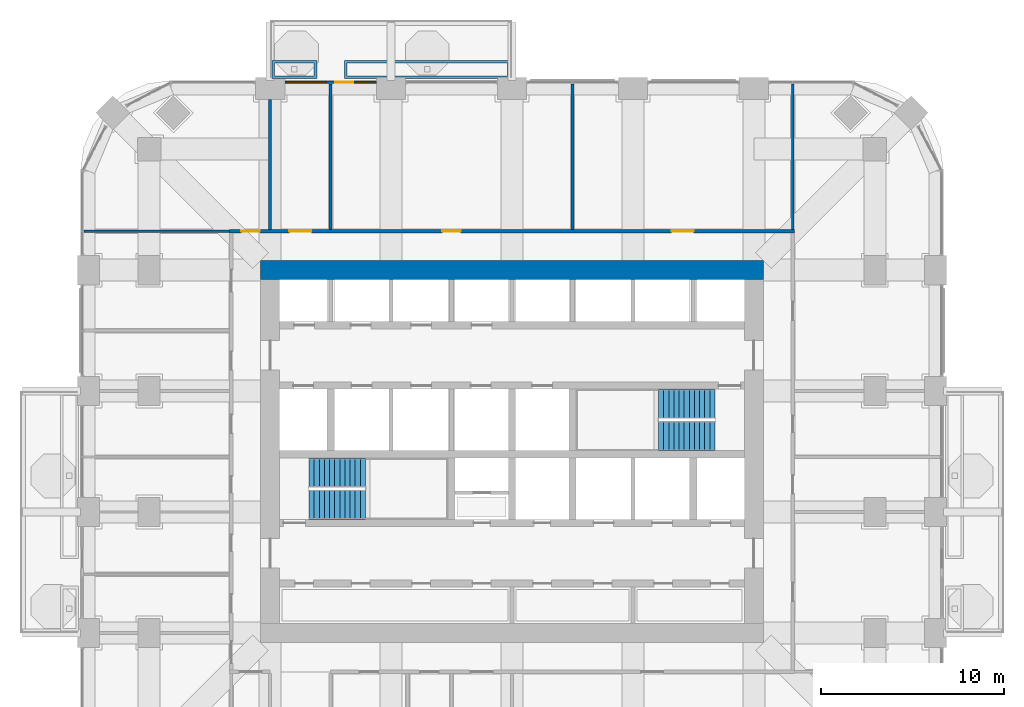
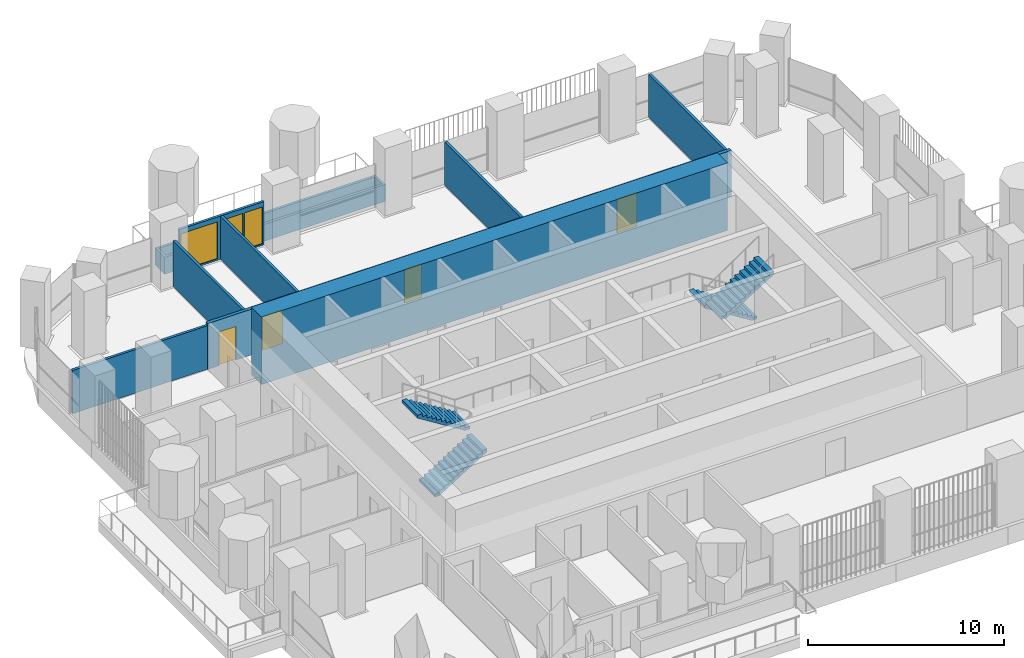
# One storey, part 14 of 19: 10 walls, 5 doors, 4 stair flights, 2 windows, 7 openings, 2 elements without a shape of their own.
"""IFC4 building model written with IfcOpenShell, lengths in metres."""

from ifc_helpers import new_model, si_unit, direction, frame, frame_2d, origin, place, context, subcontext, project, spatial, polyline, rectangle, outline, extrude, material, layer, layer_set, type_object, element, fill, aggregate, save


model = new_model("IFC4")

# Units and contexts
model_context = context("Model", 3, precision=1e-05, world=origin(), true_north=direction((0.0, 1.0)))
body_context = subcontext(model_context, "Body", "Model", "MODEL_VIEW")
ifc_project = project(units=[si_unit("LENGTHUNIT", "METRE"), si_unit("AREAUNIT", "SQUARE_METRE"), si_unit("VOLUMEUNIT", "CUBIC_METRE"), si_unit("PLANEANGLEUNIT", "RADIAN"), si_unit("MASSUNIT", "GRAM", prefix="KILO")], contexts=[model_context])

# Site, building, storey
site_placement = place(None, origin())
site = spatial("IfcSite", under=ifc_project, at=site_placement, CompositionType="ELEMENT")
building_placement = place(site_placement, origin())
building = spatial("IfcBuilding", under=site, at=building_placement, Name="Cobogo Forest Laboratory Tower", CompositionType="ELEMENT")
storey_placement = place(building_placement, frame((0.0, 0.0, 159.89990234375)))
storey = spatial("IfcBuildingStorey", under=building, at=storey_placement, Name="L36", CompositionType="ELEMENT", Elevation=159.89990234375)

# Wall
ifc_material_1 = material(Name="Concrete HA-50 (C50/60)", Category="concrete")
ifc_layer_1 = layer(ifc_material_1, 1.050048828125)
ifc_layer_set_1 = layer_set([ifc_layer_1], Name="CW1050 core outer wall 1050")
wall_type_1 = type_object("IfcWallType", Name="CW1050 core outer wall 1050", PredefinedType="SHEAR", material=ifc_layer_set_1)
wall_1_placement = place(storey_placement, frame((40.125, 33.0, 0.0), z_axis=(0.0, 0.0, 1.0), x_axis=(-1.0, 0.0, 0.0)))
element("IfcWall", 1, at=wall_1_placement, inside=storey, type_object=wall_type_1, Name="Core wall CO-N L36", PredefinedType="SHEAR", context=body_context, shape_type="SweptSolid", body=[
    extrude(rectangle(XDim=27.449951171875, YDim=1.050048828125, at=frame_2d((13.72509765625, 0.0))), origin(), (0.0, 0.0, 1.0), 4.2001953125),
])

# Wall, openings, door, windows
ifc_material_2 = material(Name="Aluminium framed glazed screen", Category="aluminium")
ifc_layer_2 = layer(ifc_material_2, 0.14990234375)
ifc_layer_set_2 = layer_set([ifc_layer_2], Name="GS1 glazed door screen 150")
wall_type_2 = type_object("IfcWallType", Name="GS1 glazed door screen 150", PredefinedType="SOLIDWALL", material=ifc_layer_set_2)
wall_2_placement = place(storey_placement, frame((19.0, 43.25, 0.0), z_axis=(0.0, 0.0, 1.0), x_axis=(-1.0, 0.0, 0.0)))
wall_2 = element("IfcWall", 2, at=wall_2_placement, inside=storey, type_object=wall_type_2, Name="Door screen BAL-N1 L36", PredefinedType="SOLIDWALL", context=body_context, shape_type="SweptSolid", body=[
    extrude(rectangle(XDim=5.0, YDim=0.14990234375, at=frame_2d((2.5, 0.0))), origin(), (0.0, 0.0, 1.0), 2.7001953125),
])
opening_1_placement = place(wall_2_placement, frame((1.25, 0.0, 0.0)))
opening_1 = element("IfcOpeningElement", 3, at=opening_1_placement, cuts=wall_2, Name="Opening L36-D42", PredefinedType="OPENING", context=body_context, shape_type="SweptSolid", body=[
    extrude(rectangle(XDim=1.0, YDim=2.39990234375, at=frame_2d((0.5, 1.199951171875))), frame((0.0, 0.0849609375, 0.0), z_axis=(0.0, -1.0, 0.0), x_axis=(1.0, 0.0, 0.0)), (0.0, 0.0, 1.0), 0.169921875),
])
opening_2_placement = place(wall_2_placement, frame((0.10009765625, 0.0, 0.10009765625)))
opening_2 = element("IfcOpeningElement", 4, at=opening_2_placement, cuts=wall_2, Name="Opening L36-W08", PredefinedType="OPENING", context=body_context, shape_type="SweptSolid", body=[
    extrude(rectangle(XDim=1.050048828125, YDim=2.300048828125, at=frame_2d((0.52490234375, 1.14990234375))), frame((0.0, 0.0849609375, 0.0), z_axis=(0.0, -1.0, 0.0), x_axis=(1.0, 0.0, 0.0)), (0.0, 0.0, 1.0), 0.169921875),
])
opening_3_placement = place(wall_2_placement, frame((2.75, 0.0, 0.10009765625)))
opening_3 = element("IfcOpeningElement", 5, at=opening_3_placement, cuts=wall_2, Name="Opening L36-W07", PredefinedType="OPENING", context=body_context, shape_type="SweptSolid", body=[
    extrude(rectangle(XDim=2.14990234375, YDim=2.300048828125, at=frame_2d((1.074951171875, 1.14990234375))), frame((0.0, 0.0849609375, 0.0), z_axis=(0.0, -1.0, 0.0), x_axis=(1.0, 0.0, 0.0)), (0.0, 0.0, 1.0), 0.169921875),
])
ifc_material_3 = material(Name="Aluminium glazed door", Category="aluminium")
door_type_1 = type_object("IfcDoorType", Name="DB1 balcony door 1000 glazed", OperationType="SINGLE_SWING_LEFT", PredefinedType="DOOR", material=ifc_material_3)
door_1_placement = place(opening_1_placement, origin())
door_1 = element("IfcDoor", 6, at=door_1_placement, inside=storey, type_object=door_type_1, Name="Door L36-BAL-N1", OperationType="SINGLE_SWING_LEFT", OverallHeight=2.39990234375, OverallWidth=1.0, PredefinedType="DOOR", context=body_context, shape_type="SweptSolid", body=[
    extrude(rectangle(XDim=1.0, YDim=2.39990234375, at=frame_2d((0.5, 1.199951171875))), frame((0.0, 0.02490234375, 0.0), z_axis=(0.0, -1.0, 0.0), x_axis=(1.0, 0.0, 0.0)), (0.0, 0.0, 1.0), 0.050048828125),
])
fill(opening_1, door_1)
ifc_material_4 = material(Name="Aluminium framed glazing", Category="aluminium")
window_type_1 = type_object("IfcWindowType", Name="WG13 fixed glazed light 2150x2300", PartitioningType="SINGLE_PANEL", PredefinedType="WINDOW", material=ifc_material_4)
window_1_placement = place(opening_3_placement, origin())
window_1 = element("IfcWindow", 7, at=window_1_placement, inside=storey, type_object=window_type_1, Name="Window L36-BAL-N1-2", OverallHeight=2.300048828125, OverallWidth=2.14990234375, PartitioningType="SINGLE_PANEL", PredefinedType="WINDOW", context=body_context, shape_type="SweptSolid", body=[
    extrude(rectangle(XDim=2.14990234375, YDim=2.300048828125, at=frame_2d((1.074951171875, 1.14990234375))), frame((0.0, 0.030029296875, 0.0), z_axis=(0.0, -1.0, 0.0), x_axis=(1.0, 0.0, 0.0)), (0.0, 0.0, 1.0), 0.06005859375),
])
fill(opening_3, window_1)
window_type_2 = type_object("IfcWindowType", Name="WG14 fixed glazed light 1050x2300", PartitioningType="SINGLE_PANEL", PredefinedType="WINDOW", material=ifc_material_4)
window_2_placement = place(opening_2_placement, origin())
window_2 = element("IfcWindow", 8, at=window_2_placement, inside=storey, type_object=window_type_2, Name="Window L36-BAL-N1-1", OverallHeight=2.300048828125, OverallWidth=1.050048828125, PartitioningType="SINGLE_PANEL", PredefinedType="WINDOW", context=body_context, shape_type="SweptSolid", body=[
    extrude(rectangle(XDim=1.050048828125, YDim=2.300048828125, at=frame_2d((0.52490234375, 1.14990234375))), frame((0.0, 0.030029296875, 0.0), z_axis=(0.0, -1.0, 0.0), x_axis=(1.0, 0.0, 0.0)), (0.0, 0.0, 1.0), 0.06005859375),
])
fill(opening_2, window_2)

# Walls
ifc_material_5 = material(Name="Gypsum board on steel studs", Category="steel")
ifc_layer_3 = layer(ifc_material_5, 0.14990234375)
ifc_layer_set_3 = layer_set([ifc_layer_3], Name="PT1 laboratory partition 150")
wall_type_3 = type_object("IfcWallType", Name="PT1 laboratory partition 150", PredefinedType="PARTITIONING", material=ifc_layer_set_3)
wall_3_placement = place(storey_placement, frame((41.72509765625, 43.169921875, 0.0), z_axis=(0.0, 0.0, 1.0), x_axis=(0.0, -1.0, 0.0)))
element("IfcWall", 9, at=wall_3_placement, inside=storey, type_object=wall_type_3, Name="Partition PW-NE L36", PredefinedType="PARTITIONING", context=body_context, shape_type="SweptSolid", body=[
    extrude(rectangle(XDim=7.94482421875, YDim=0.14990234375, at=frame_2d((3.972412109375, 0.0))), origin(), (0.0, 0.0, 1.0), 2.7001953125),
])
wall_4_placement = place(storey_placement, frame((3.030029296875, 35.125, 0.0), z_axis=(0.0, 0.0, 1.0), x_axis=(1.0, 0.0, 0.0)))
element("IfcWall", 10, at=wall_4_placement, inside=storey, type_object=wall_type_3, Name="Partition PW-NW L36", PredefinedType="PARTITIONING", context=body_context, shape_type="SweptSolid", body=[
    extrude(rectangle(XDim=7.945068359375, YDim=0.14990234375, at=frame_2d((3.97265625, 0.0))), origin(), (0.0, 0.0, 1.0), 2.7001953125),
])
wall_5_placement = place(storey_placement, frame((13.199951171875, 42.300048828125, 0.0), z_axis=(0.0, 0.0, 1.0), x_axis=(0.0, -1.0, 0.0)))
element("IfcWall", 11, at=wall_5_placement, inside=storey, type_object=wall_type_3, Name="Partition CUT-N13.2-1 L36", PredefinedType="PARTITIONING", context=body_context, shape_type="SweptSolid", body=[
    extrude(rectangle(XDim=7.074951171875, YDim=0.14990234375, at=frame_2d((3.53759765625, 0.0))), origin(), (0.0, 0.0, 1.0), 2.85009765625),
])
for number, where, z_axis, x_axis, name in (
    (12, (16.5, 43.169921875, 0.0), (0.0, 0.0, 1.0), (0.0, -1.0, 0.0), "Partition CUT-N16.5-1 L36"),
    (13, (29.699951171875, 43.169921875, 0.0), (0.0, 0.0, 1.0), (0.0, -1.0, 0.0), "Partition CUT-N29.7-1 L36"),
):
    element("IfcWall", number, at=place(storey_placement, frame(where, z_axis=z_axis, x_axis=x_axis)), inside=storey, type_object=wall_type_3, Name=name, PredefinedType="PARTITIONING", context=body_context, shape_type="SweptSolid", body=[
        extrude(rectangle(XDim=7.94482421875, YDim=0.14990234375, at=frame_2d((3.972412109375, 0.0))), origin(), (0.0, 0.0, 1.0), 2.7001953125),
    ])

# Wall, openings, doors
ifc_layer_4 = layer(ifc_material_5, 0.199951171875)
ifc_layer_set_4 = layer_set([ifc_layer_4], Name="PT2 fire-rated corridor partition 200")
wall_type_4 = type_object("IfcWallType", Name="PT2 fire-rated corridor partition 200", PredefinedType="PARTITIONING", material=ifc_layer_set_4)
wall_6_placement = place(storey_placement, frame((10.97509765625, 35.125, 0.0), z_axis=(0.0, 0.0, 1.0), x_axis=(1.0, 0.0, 0.0)))
wall_6 = element("IfcWall", 14, at=wall_6_placement, inside=storey, type_object=wall_type_4, Name="Partition CORR-N L36", PredefinedType="PARTITIONING", context=body_context, shape_type="SweptSolid", body=[
    extrude(rectangle(XDim=30.849853515625, YDim=0.199951171875, at=frame_2d((15.4248046875, 0.0))), origin(), (0.0, 0.0, 1.0), 2.85009765625),
])
opening_4_placement = place(wall_6_placement, frame((0.66259765625, 0.0, 0.0)))
opening_4 = element("IfcOpeningElement", 15, at=opening_4_placement, cuts=wall_6, Name="Opening L36-D38", PredefinedType="OPENING", context=body_context, shape_type="SweptSolid", body=[
    extrude(rectangle(XDim=1.0, YDim=2.10009765625, at=frame_2d((0.5, 1.050048828125))), frame((0.0, 0.10986328125, 0.0), z_axis=(0.0, -1.0, 0.0), x_axis=(1.0, 0.0, 0.0)), (0.0, 0.0, 1.0), 0.219970703125),
])
opening_5_placement = place(wall_6_placement, frame((3.27490234375, 0.0, 0.0)))
opening_5 = element("IfcOpeningElement", 16, at=opening_5_placement, cuts=wall_6, Name="Opening L36-D39", PredefinedType="OPENING", context=body_context, shape_type="SweptSolid", body=[
    extrude(rectangle(XDim=1.199951171875, YDim=2.10009765625, at=frame_2d((0.60009765625, 1.050048828125))), frame((0.0, 0.10986328125, 0.0), z_axis=(0.0, -1.0, 0.0), x_axis=(1.0, 0.0, 0.0)), (0.0, 0.0, 1.0), 0.219970703125),
])
opening_6_placement = place(wall_6_placement, frame((11.625, 0.0, 0.0)))
opening_6 = element("IfcOpeningElement", 17, at=opening_6_placement, cuts=wall_6, Name="Opening L36-D40", PredefinedType="OPENING", context=body_context, shape_type="SweptSolid", body=[
    extrude(rectangle(XDim=1.0, YDim=2.10009765625, at=frame_2d((0.5, 1.050048828125))), frame((0.0, 0.10986328125, 0.0), z_axis=(0.0, -1.0, 0.0), x_axis=(1.0, 0.0, 0.0)), (0.0, 0.0, 1.0), 0.219970703125),
])
opening_7_placement = place(wall_6_placement, frame((24.137451171875, 0.0, 0.0)))
opening_7 = element("IfcOpeningElement", 18, at=opening_7_placement, cuts=wall_6, Name="Opening L36-D41", PredefinedType="OPENING", context=body_context, shape_type="SweptSolid", body=[
    extrude(rectangle(XDim=1.199951171875, YDim=2.10009765625, at=frame_2d((0.60009765625, 1.050048828125))), frame((0.0, 0.10986328125, 0.0), z_axis=(0.0, -1.0, 0.0), x_axis=(1.0, 0.0, 0.0)), (0.0, 0.0, 1.0), 0.219970703125),
])
ifc_material_6 = material(Name="Timber door", Category="wood")
door_type_2 = type_object("IfcDoorType", Name="D2 laboratory door 1200 unequal pair", OperationType="DOUBLE_DOOR_SINGLE_SWING", PredefinedType="DOOR", material=ifc_material_6)
door_2_placement = place(opening_5_placement, origin())
door_2 = element("IfcDoor", 19, at=door_2_placement, inside=storey, type_object=door_type_2, Name="Door L36-N2", OperationType="DOUBLE_DOOR_SINGLE_SWING", OverallHeight=2.10009765625, OverallWidth=1.199951171875, PredefinedType="DOOR", context=body_context, shape_type="SweptSolid", body=[
    extrude(rectangle(XDim=1.199951171875, YDim=2.10009765625, at=frame_2d((0.60009765625, 1.050048828125))), frame((0.0, 0.02490234375, 0.0), z_axis=(0.0, -1.0, 0.0), x_axis=(1.0, 0.0, 0.0)), (0.0, 0.0, 1.0), 0.050048828125),
])
fill(opening_5, door_2)
door_3_placement = place(opening_7_placement, origin())
door_3 = element("IfcDoor", 20, at=door_3_placement, inside=storey, type_object=door_type_2, Name="Door L36-N4", OperationType="DOUBLE_DOOR_SINGLE_SWING", OverallHeight=2.10009765625, OverallWidth=1.199951171875, PredefinedType="DOOR", context=body_context, shape_type="SweptSolid", body=[
    extrude(rectangle(XDim=1.199951171875, YDim=2.10009765625, at=frame_2d((0.60009765625, 1.050048828125))), frame((0.0, 0.02490234375, 0.0), z_axis=(0.0, -1.0, 0.0), x_axis=(1.0, 0.0, 0.0)), (0.0, 0.0, 1.0), 0.050048828125),
])
fill(opening_7, door_3)
ifc_material_7 = material(Name="Timber fire door", Category="wood")
door_type_3 = type_object("IfcDoorType", Name="FD2 fire door 1000 EI2 30", OperationType="SINGLE_SWING_LEFT", PredefinedType="DOOR", material=ifc_material_7)
door_4_placement = place(opening_4_placement, origin())
door_4 = element("IfcDoor", 21, at=door_4_placement, inside=storey, type_object=door_type_3, Name="Door L36-N1", OperationType="SINGLE_SWING_LEFT", OverallHeight=2.10009765625, OverallWidth=1.0, PredefinedType="DOOR", context=body_context, shape_type="SweptSolid", body=[
    extrude(rectangle(XDim=1.0, YDim=2.10009765625, at=frame_2d((0.5, 1.050048828125))), frame((0.0, 0.02490234375, 0.0), z_axis=(0.0, -1.0, 0.0), x_axis=(1.0, 0.0, 0.0)), (0.0, 0.0, 1.0), 0.050048828125),
])
fill(opening_4, door_4)
door_5_placement = place(opening_6_placement, origin())
door_5 = element("IfcDoor", 22, at=door_5_placement, inside=storey, type_object=door_type_3, Name="Door L36-N3", OperationType="SINGLE_SWING_LEFT", OverallHeight=2.10009765625, OverallWidth=1.0, PredefinedType="DOOR", context=body_context, shape_type="SweptSolid", body=[
    extrude(rectangle(XDim=1.0, YDim=2.10009765625, at=frame_2d((0.5, 1.050048828125))), frame((0.0, 0.02490234375, 0.0), z_axis=(0.0, -1.0, 0.0), x_axis=(1.0, 0.0, 0.0)), (0.0, 0.0, 1.0), 0.050048828125),
])
fill(opening_6, door_5)

# Walls
ifc_material_8 = material(Name="Concrete HA-40 (C40/50)", Category="concrete")
ifc_layer_5 = layer(ifc_material_8, 0.14990234375)
ifc_layer_set_5 = layer_set([ifc_layer_5], Name="Planter box 1000x1050")
wall_type_5 = type_object("IfcWallType", Name="Planter box 1000x1050", PredefinedType="USERDEFINED", material=ifc_layer_set_5)
wall_7_placement = place(storey_placement, origin())
element("IfcWall", 23, at=wall_7_placement, inside=storey, type_object=wall_type_5, Name="Planter BAL-N1-1 L36", ObjectType="PLANTER", PredefinedType="USERDEFINED", context=body_context, shape_type="SweptSolid", body=[
    extrude(outline(polyline([(13.300048828125, 43.449951171875), (15.75, 43.449951171875), (15.75, 44.449951171875), (13.300048828125, 44.449951171875), (13.300048828125, 43.449951171875)]), holes=[polyline([(13.449951171875, 43.60009765625), (15.60009765625, 43.60009765625), (15.60009765625, 44.300048828125), (13.449951171875, 44.300048828125), (13.449951171875, 43.60009765625)])]), origin(), (0.0, 0.0, 1.0), 1.050048828125),
])
wall_8_placement = place(storey_placement, origin())
element("IfcWall", 24, at=wall_8_placement, inside=storey, type_object=wall_type_5, Name="Planter BAL-N1-2 L36", ObjectType="PLANTER", PredefinedType="USERDEFINED", context=body_context, shape_type="SweptSolid", body=[
    extrude(outline(polyline([(17.25, 43.449951171875), (26.300048828125, 43.449951171875), (26.300048828125, 44.449951171875), (17.25, 44.449951171875), (17.25, 43.449951171875)]), holes=[polyline([(17.39990234375, 43.60009765625), (26.14990234375, 43.60009765625), (26.14990234375, 44.300048828125), (17.39990234375, 44.300048828125), (17.39990234375, 43.60009765625)])]), origin(), (0.0, 0.0, 1.0), 1.050048828125),
])

# Stair, stair flights
ifc_material_9 = material(Name="Precast concrete HA-40 (C40/50)", Category="concrete")
stair_type = type_object("IfcStairType", Name="ST24 exit stair 24 risers", PredefinedType="HALF_TURN_STAIR", material=ifc_material_9)
stair_1_placement = place(storey_placement, origin())
stair_1 = element("IfcStair", 25, at=stair_1_placement, inside=storey, type_object=stair_type, Name="Stair 1 L36 to L37", PredefinedType="HALF_TURN_STAIR")
stair_flight_type = type_object("IfcStairFlightType", Name="ST stair flight 280 going", PredefinedType="STRAIGHT", material=ifc_material_9)
stair_flight_1_placement = place(storey_placement, frame((15.324951171875, 20.199951171875, 0.0), z_axis=(0.0, 0.0, 1.0), x_axis=(1.0, 0.0, 0.0)))
stair_flight_1 = element("IfcStairFlight", 26, at=stair_flight_1_placement, type_object=stair_flight_type, Name="ST1 flight 1", NumberOfRisers=12, NumberOfTreads=11, PredefinedType="STRAIGHT", RiserHeight=0.175, TreadLength=0.28, context=body_context, shape_type="SweptSolid", body=[
    extrude(outline(polyline([(0.0, 0.0), (0.0, 0.175048828125), (0.280029296875, 0.175048828125), (0.280029296875, 0.35009765625), (0.56005859375, 0.35009765625), (0.56005859375, 0.52490234375), (0.840087890625, 0.52490234375), (0.840087890625, 0.699951171875), (1.1201171875, 0.699951171875), (1.1201171875, 0.875), (1.39990234375, 0.875), (1.39990234375, 1.050048828125), (1.679931640625, 1.050048828125), (1.679931640625, 1.22509765625), (1.9599609375, 1.22509765625), (1.9599609375, 1.39990234375), (2.239990234375, 1.39990234375), (2.239990234375, 1.574951171875), (2.52001953125, 1.574951171875), (2.52001953125, 1.75), (2.800048828125, 1.75), (2.800048828125, 1.925048828125), (3.080078125, 1.925048828125), (3.080078125, 2.10009765625), (3.080078125, 1.748291015625), (0.28271484375, 0.0), (0.0, 0.0)])), frame((0.0, 0.800048828125, 0.0), z_axis=(0.0, -1.0, 0.0), x_axis=(1.0, 0.0, 0.0)), (0.0, 0.0, 1.0), 1.60009765625),
])
stair_flight_2_placement = place(storey_placement, frame((18.405029296875, 21.949951171875, 2.10009765625), z_axis=(0.0, 0.0, 1.0), x_axis=(-1.0, 0.0, 0.0)))
stair_flight_2 = element("IfcStairFlight", 27, at=stair_flight_2_placement, type_object=stair_flight_type, Name="ST1 flight 2", NumberOfRisers=12, NumberOfTreads=11, PredefinedType="STRAIGHT", RiserHeight=0.175, TreadLength=0.28, context=body_context, shape_type="SweptSolid", body=[
    extrude(outline(polyline([(0.0, 0.0), (0.0, 0.175048828125), (0.280029296875, 0.175048828125), (0.280029296875, 0.35009765625), (0.56005859375, 0.35009765625), (0.56005859375, 0.52490234375), (0.840087890625, 0.52490234375), (0.840087890625, 0.699951171875), (1.1201171875, 0.699951171875), (1.1201171875, 0.875), (1.39990234375, 0.875), (1.39990234375, 1.050048828125), (1.679931640625, 1.050048828125), (1.679931640625, 1.22509765625), (1.9599609375, 1.22509765625), (1.9599609375, 1.39990234375), (2.239990234375, 1.39990234375), (2.239990234375, 1.574951171875), (2.52001953125, 1.574951171875), (2.52001953125, 1.75), (2.800048828125, 1.75), (2.800048828125, 1.925048828125), (3.080078125, 1.925048828125), (3.080078125, 2.10009765625), (3.080078125, 1.748291015625), (0.28271484375, 0.0), (0.0, 0.0)])), frame((0.0, 0.800048828125, 0.0), z_axis=(0.0, -1.0, 0.0), x_axis=(1.0, 0.0, 0.0)), (0.0, 0.0, 1.0), 1.60009765625),
])
aggregate(stair_1, [stair_flight_1, stair_flight_2])

stair_2_placement = place(storey_placement, origin())
stair_2 = element("IfcStair", 28, at=stair_2_placement, inside=storey, type_object=stair_type, Name="Stair 2 L36 to L37", PredefinedType="HALF_TURN_STAIR")
stair_flight_3_placement = place(storey_placement, frame((37.47509765625, 25.699951171875, 0.0), z_axis=(0.0, 0.0, 1.0), x_axis=(-1.0, 0.0, 0.0)))
stair_flight_3 = element("IfcStairFlight", 29, at=stair_flight_3_placement, type_object=stair_flight_type, Name="ST2 flight 1", NumberOfRisers=12, NumberOfTreads=11, PredefinedType="STRAIGHT", RiserHeight=0.175, TreadLength=0.28, context=body_context, shape_type="SweptSolid", body=[
    extrude(outline(polyline([(0.0, 0.0), (0.0, 0.175048828125), (0.280029296875, 0.175048828125), (0.280029296875, 0.35009765625), (0.56005859375, 0.35009765625), (0.56005859375, 0.52490234375), (0.840087890625, 0.52490234375), (0.840087890625, 0.699951171875), (1.1201171875, 0.699951171875), (1.1201171875, 0.875), (1.39990234375, 0.875), (1.39990234375, 1.050048828125), (1.679931640625, 1.050048828125), (1.679931640625, 1.22509765625), (1.9599609375, 1.22509765625), (1.9599609375, 1.39990234375), (2.239990234375, 1.39990234375), (2.239990234375, 1.574951171875), (2.52001953125, 1.574951171875), (2.52001953125, 1.75), (2.800048828125, 1.75), (2.800048828125, 1.925048828125), (3.080078125, 1.925048828125), (3.080078125, 2.10009765625), (3.080078125, 1.748291015625), (0.28271484375, 0.0), (0.0, 0.0)])), frame((0.0, 0.800048828125, 0.0), z_axis=(0.0, -1.0, 0.0), x_axis=(1.0, 0.0, 0.0)), (0.0, 0.0, 1.0), 1.60009765625),
])
stair_flight_4_placement = place(storey_placement, frame((34.39501953125, 23.949951171875, 2.10009765625), z_axis=(0.0, 0.0, 1.0), x_axis=(1.0, 0.0, 0.0)))
stair_flight_4 = element("IfcStairFlight", 30, at=stair_flight_4_placement, type_object=stair_flight_type, Name="ST2 flight 2", NumberOfRisers=12, NumberOfTreads=11, PredefinedType="STRAIGHT", RiserHeight=0.175, TreadLength=0.28, context=body_context, shape_type="SweptSolid", body=[
    extrude(outline(polyline([(0.0, 0.0), (0.0, 0.175048828125), (0.280029296875, 0.175048828125), (0.280029296875, 0.35009765625), (0.56005859375, 0.35009765625), (0.56005859375, 0.52490234375), (0.840087890625, 0.52490234375), (0.840087890625, 0.699951171875), (1.1201171875, 0.699951171875), (1.1201171875, 0.875), (1.39990234375, 0.875), (1.39990234375, 1.050048828125), (1.679931640625, 1.050048828125), (1.679931640625, 1.22509765625), (1.9599609375, 1.22509765625), (1.9599609375, 1.39990234375), (2.239990234375, 1.39990234375), (2.239990234375, 1.574951171875), (2.52001953125, 1.574951171875), (2.52001953125, 1.75), (2.800048828125, 1.75), (2.800048828125, 1.925048828125), (3.080078125, 1.925048828125), (3.080078125, 2.10009765625), (3.080078125, 1.748291015625), (0.28271484375, 0.0), (0.0, 0.0)])), frame((0.0, 0.800048828125, 0.0), z_axis=(0.0, -1.0, 0.0), x_axis=(1.0, 0.0, 0.0)), (0.0, 0.0, 1.0), 1.60009765625),
])
aggregate(stair_2, [stair_flight_3, stair_flight_4])

save(model, "model.ifc")
